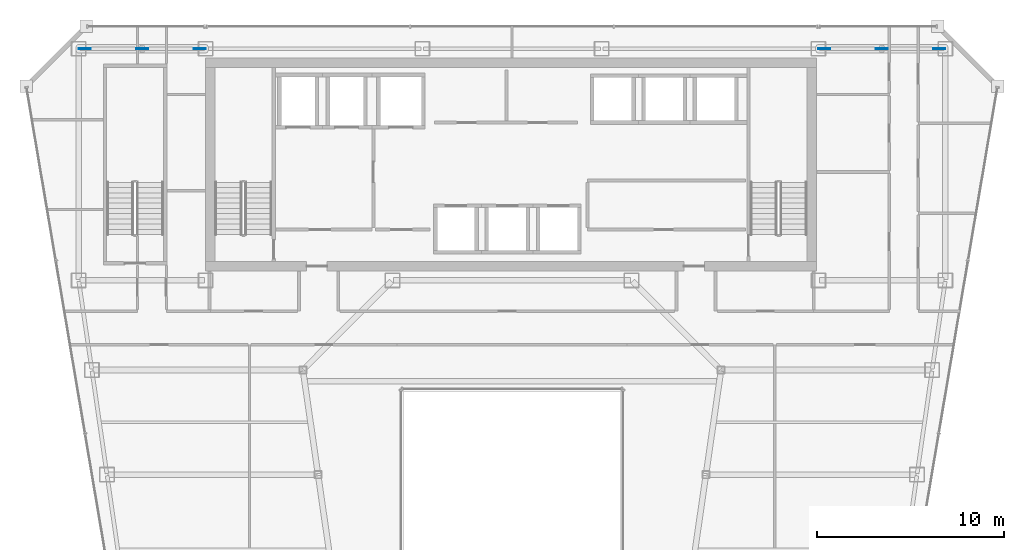
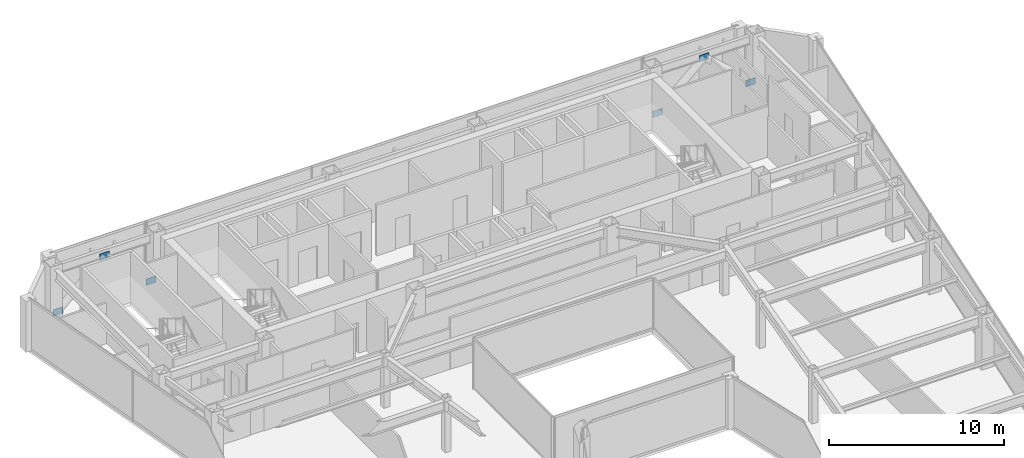
# One storey, part 29 of 35: 6 plates.
"""IFC4 building model written with IfcOpenShell, lengths in metres."""

from ifc_helpers import new_model, si_unit, direction, frame, origin, origin_2d, place, context, subcontext, project, spatial, rectangle, extrude, material, layer, layer_set, type_object, element, save


model = new_model("IFC4")

# Units and contexts
model_context = context("Model", 3, precision=1e-05, world=origin(), true_north=direction((0.0, 1.0)))
body_context = subcontext(model_context, "Body", "Model", "MODEL_VIEW")
ifc_project = project(units=[si_unit("LENGTHUNIT", "METRE"), si_unit("AREAUNIT", "SQUARE_METRE"), si_unit("VOLUMEUNIT", "CUBIC_METRE"), si_unit("PLANEANGLEUNIT", "RADIAN"), si_unit("MASSUNIT", "GRAM", prefix="KILO")], contexts=[model_context])

# Site, building, storey
site_placement = place(None, origin())
site = spatial("IfcSite", under=ifc_project, at=site_placement, CompositionType="ELEMENT")
building_placement = place(site_placement, origin())
building = spatial("IfcBuilding", under=site, at=building_placement, Name="Saevonmaru Cultural Tower", CompositionType="ELEMENT")
storey_placement = place(building_placement, frame((0.0, 0.0, 213.199951171875)))
storey = spatial("IfcBuildingStorey", under=building, at=storey_placement, Name="L49", CompositionType="ELEMENT", Elevation=213.199951171875)

# Plates
ifc_material = material(Name="Steel HSA600 (600 MPa)", Category="steel")
ifc_layer = layer(ifc_material, 0.0400390625, Name="Steel HSA600 (600 MPa)")
ifc_layer_set = layer_set([ifc_layer], Name="Steel HSA600 (600 MPa)")
plate_type = type_object("IfcPlateType", Name="PL-GUSSET-EXT", PredefinedType="USERDEFINED", material=ifc_layer_set)
for number, where, z_axis, x_axis, name in (
    (1, (10.199951171875, 54.800048828125, 2.85009765625), (0.0, 0.0, 1.0), (1.0, 0.0, 0.0), "L49 Perimeter Tube Gusset Plate"),
    (2, (7.1201171875, 54.800048828125, 0.02001953125), (0.0, 0.0, 1.0), (1.0, 0.0, 0.0), "L49 Perimeter Tube Gusset Plate"),
    (3, (13.280029296875, 54.800048828125, 0.02001953125), (0.0, 0.0, 1.0), (1.0, 0.0, 0.0), "L49 Perimeter Tube Gusset Plate"),
    (4, (49.800048828125, 54.800048828125, 2.85009765625), (0.0, 0.0, 1.0), (1.0, 0.0, 0.0), "L49 Perimeter Tube Gusset Plate"),
    (5, (46.719970703125, 54.800048828125, 0.02001953125), (0.0, 0.0, 1.0), (1.0, 0.0, 0.0), "L49 Perimeter Tube Gusset Plate"),
    (6, (52.8798828125, 54.800048828125, 0.02001953125), (0.0, 0.0, 1.0), (1.0, 0.0, 0.0), "L49 Perimeter Tube Gusset Plate"),
):
    element("IfcPlate", number, at=place(storey_placement, frame(where, z_axis=z_axis, x_axis=x_axis)), inside=storey, type_object=plate_type, Name=name, ObjectType="GUSSET_PLATE", PredefinedType="USERDEFINED", context=body_context, shape_type="SweptSolid", body=[
        extrude(rectangle(XDim=0.639892578125, YDim=0.0400390625, at=origin_2d()), origin(), (0.0, 0.0, 1.0), 0.43994140625),
    ])

save(model, "model.ifc")
